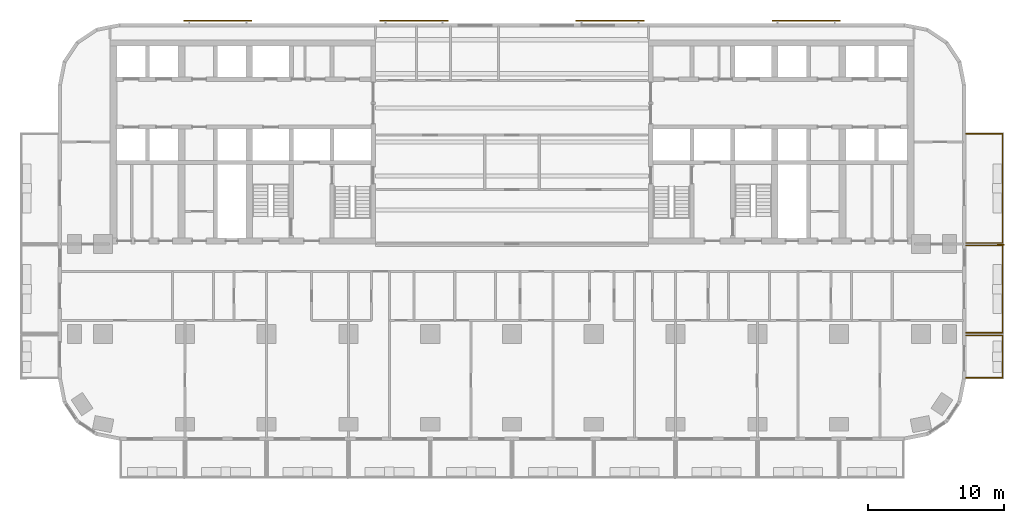
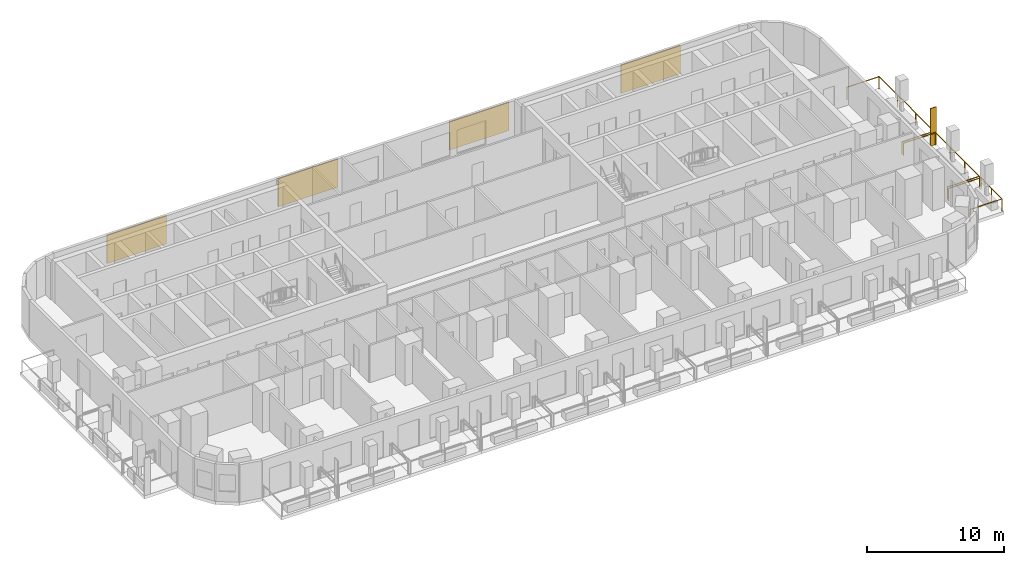
# One storey, part 14 of 15: 5 shading devices, 3 railings.
"""IFC4 building model written with IfcOpenShell, lengths in metres."""

from ifc_helpers import new_model, si_unit, direction, frame, origin, origin_2d, place, context, subcontext, project, spatial, rectangle, circle, extrude, material, layer, layer_set, type_object, element, save


model = new_model("IFC4")

# Units and contexts
model_context = context("Model", 3, precision=1e-05, world=origin(), true_north=direction((0.0, 1.0)))
body_context = subcontext(model_context, "Body", "Model", "MODEL_VIEW")
ifc_project = project(units=[si_unit("LENGTHUNIT", "METRE"), si_unit("AREAUNIT", "SQUARE_METRE"), si_unit("VOLUMEUNIT", "CUBIC_METRE"), si_unit("PLANEANGLEUNIT", "RADIAN"), si_unit("MASSUNIT", "GRAM", prefix="KILO")], contexts=[model_context])

# Site, building, storey
site_placement = place(None, origin())
site = spatial("IfcSite", under=ifc_project, at=site_placement, CompositionType="ELEMENT")
building_placement = place(site_placement, origin())
building = spatial("IfcBuilding", under=site, at=building_placement, Name="Torana Hotel and Residences", CompositionType="ELEMENT")
storey_placement = place(building_placement, frame((0.0, 0.0, 88.800048828125)))
storey = spatial("IfcBuildingStorey", under=building, at=storey_placement, Name="L22", CompositionType="ELEMENT", Elevation=88.800048828125)

# Shading device
ifc_material_1 = material(Name="Black powder coated aluminium", Category="aluminium")
ifc_layer_1 = layer(ifc_material_1, 0.080078125)
ifc_layer_set_1 = layer_set([ifc_layer_1], Name="FN1 VERTICAL FIN 500x80")
shading_device_type_1 = type_object("IfcShadingDeviceType", Name="FN1 VERTICAL FIN 500x80", PredefinedType="USERDEFINED", material=ifc_layer_set_1)
shading_device_placement = place(storey_placement, frame((35.85009765625, -15.0400390625, 0.0), z_axis=(0.0, 0.0, 1.0), x_axis=(0.0, -1.0, 0.0)))
element("IfcShadingDevice", 1, at=shading_device_placement, inside=storey, type_object=shading_device_type_1, Name="Fin 15", ObjectType="FIN", PredefinedType="USERDEFINED", context=body_context, shape_type="SweptSolid", body=[
    extrude(rectangle(XDim=0.080078125, YDim=0.5, at=origin_2d()), origin(), (0.0, 0.0, 1.0), 3.320068359375),
])

# Railings
ifc_material_2 = material(Name="Laminated glass balustrade with black handrail", Category="glass")
railing_type = type_object("IfcRailingType", Name="GR1 BALCONY GUARD 1100 GLASS", PredefinedType="GUARDRAIL", material=ifc_material_2)
railing_1_placement = place(storey_placement, frame((33.300048828125, -21.699951171875, 0.0)))
element("IfcRailing", 2, at=railing_1_placement, inside=storey, type_object=railing_type, Name="Balcony guard 14", PredefinedType="GUARDRAIL", context=body_context, shape_type="SweptSolid", body=[
    extrude(circle(Radius=0.02392578125, at=origin_2d()), frame((0.0, 0.0, 1.076171875), z_axis=(1.0, 0.0, 0.0), x_axis=(0.0, 1.0, 0.0)), (0.0, 0.0, 1.0), 2.699951171875),
    extrude(circle(Radius=0.02392578125, at=origin_2d()), frame((2.699951171875, 0.0, 1.076171875), z_axis=(0.0, -1.0, 0.0), x_axis=(1.0, 0.0, 0.0)), (0.0, 0.0, 1.0), 3.10009765625),
    extrude(circle(Radius=0.02392578125, at=origin_2d()), frame((2.699951171875, -3.10009765625, 1.076171875), z_axis=(-1.0, 0.0, 0.0), x_axis=(0.0, -1.0, 0.0)), (0.0, 0.0, 1.0), 2.699951171875),
    extrude(circle(Radius=0.02099609375, at=origin_2d()), origin(), (0.0, 0.0, 1.0), 1.052001953125),
    extrude(circle(Radius=0.02099609375, at=origin_2d()), frame((2.699951171875, 0.0, 0.0)), (0.0, 0.0, 1.0), 1.052001953125),
    extrude(circle(Radius=0.02099609375, at=origin_2d()), frame((2.699951171875, -1.550048828125, 0.0)), (0.0, 0.0, 1.0), 1.052001953125),
    extrude(circle(Radius=0.02099609375, at=origin_2d()), frame((2.699951171875, -3.10009765625, 0.0)), (0.0, 0.0, 1.0), 1.052001953125),
    extrude(circle(Radius=0.02099609375, at=origin_2d()), frame((0.0, -3.10009765625, 0.0)), (0.0, 0.0, 1.0), 1.052001953125),
])
railing_2_placement = place(storey_placement, frame((33.300048828125, -15.10009765625, 0.0)))
element("IfcRailing", 3, at=railing_2_placement, inside=storey, type_object=railing_type, Name="Balcony guard 15", PredefinedType="GUARDRAIL", context=body_context, shape_type="SweptSolid", body=[
    extrude(circle(Radius=0.02392578125, at=origin_2d()), frame((0.0, 0.0, 1.076171875), z_axis=(1.0, 0.0, 0.0), x_axis=(0.0, 1.0, 0.0)), (0.0, 0.0, 1.0), 2.699951171875),
    extrude(circle(Radius=0.02392578125, at=origin_2d()), frame((2.699951171875, 0.0, 1.076171875), z_axis=(0.0, -1.0, 0.0), x_axis=(1.0, 0.0, 0.0)), (0.0, 0.0, 1.0), 6.39990234375),
    extrude(circle(Radius=0.02392578125, at=origin_2d()), frame((2.699951171875, -6.39990234375, 1.076171875), z_axis=(-1.0, 0.0, 0.0), x_axis=(0.0, -1.0, 0.0)), (0.0, 0.0, 1.0), 2.699951171875),
    extrude(circle(Radius=0.02099609375, at=origin_2d()), origin(), (0.0, 0.0, 1.0), 1.052001953125),
    extrude(circle(Radius=0.02099609375, at=origin_2d()), frame((2.699951171875, 0.0, 0.0)), (0.0, 0.0, 1.0), 1.052001953125),
    extrude(circle(Radius=0.02099609375, at=origin_2d()), frame((2.699951171875, -2.13330078125, 0.0)), (0.0, 0.0, 1.0), 1.052001953125),
    extrude(circle(Radius=0.02099609375, at=origin_2d()), frame((2.699951171875, -4.2666015625, 0.0)), (0.0, 0.0, 1.0), 1.052001953125),
    extrude(circle(Radius=0.02099609375, at=origin_2d()), frame((2.699951171875, -6.39990234375, 0.0)), (0.0, 0.0, 1.0), 1.052001953125),
    extrude(circle(Radius=0.02099609375, at=origin_2d()), frame((0.0, -6.39990234375, 0.0)), (0.0, 0.0, 1.0), 1.052001953125),
])
railing_3_placement = place(storey_placement, frame((33.300048828125, -6.89990234375, 0.0)))
element("IfcRailing", 4, at=railing_3_placement, inside=storey, type_object=railing_type, Name="Balcony guard 16", PredefinedType="GUARDRAIL", context=body_context, shape_type="SweptSolid", body=[
    extrude(circle(Radius=0.02392578125, at=origin_2d()), frame((0.0, 0.0, 1.076171875), z_axis=(1.0, 0.0, 0.0), x_axis=(0.0, 1.0, 0.0)), (0.0, 0.0, 1.0), 2.699951171875),
    extrude(circle(Radius=0.02392578125, at=origin_2d()), frame((2.699951171875, 0.0, 1.076171875), z_axis=(0.0, -1.0, 0.0), x_axis=(1.0, 0.0, 0.0)), (0.0, 0.0, 1.0), 8.0),
    extrude(circle(Radius=0.02392578125, at=origin_2d()), frame((2.699951171875, -8.0, 1.076171875), z_axis=(-1.0, 0.0, 0.0), x_axis=(0.0, -1.0, 0.0)), (0.0, 0.0, 1.0), 2.699951171875),
    extrude(circle(Radius=0.02099609375, at=origin_2d()), origin(), (0.0, 0.0, 1.0), 1.052001953125),
    extrude(circle(Radius=0.02099609375, at=origin_2d()), frame((2.699951171875, 0.0, 0.0)), (0.0, 0.0, 1.0), 1.052001953125),
    extrude(circle(Radius=0.02099609375, at=origin_2d()), frame((2.699951171875, -2.666748046875, 0.0)), (0.0, 0.0, 1.0), 1.052001953125),
    extrude(circle(Radius=0.02099609375, at=origin_2d()), frame((2.699951171875, -5.333251953125, 0.0)), (0.0, 0.0, 1.0), 1.052001953125),
    extrude(circle(Radius=0.02099609375, at=origin_2d()), frame((2.699951171875, -8.0, 0.0)), (0.0, 0.0, 1.0), 1.052001953125),
    extrude(circle(Radius=0.02099609375, at=origin_2d()), frame((0.0, -8.0, 0.0)), (0.0, 0.0, 1.0), 1.052001953125),
])

# Shading devices
ifc_material_3 = material(Name="Concrete C40/50 precast", Category="concrete")
ifc_layer_2 = layer(ifc_material_3, 0.10009765625)
ifc_layer_set_2 = layer_set([ifc_layer_2], Name="SC1 PERFORATED BLOCK SCREEN PANEL 100")
shading_device_type_2 = type_object("IfcShadingDeviceType", Name="SC1 PERFORATED BLOCK SCREEN PANEL 100", PredefinedType="USERDEFINED", material=ifc_layer_set_2)
for number, where, z_axis, x_axis, name in (
    (5, (21.58154296875, 1.39990234375, 0.5), (0.0, 0.0, 1.0), (-1.0, 0.0, 0.0), "Perforated block screen L22"),
    (6, (7.19384765625, 1.39990234375, 0.5), (0.0, 0.0, 1.0), (-1.0, 0.0, 0.0), "Perforated block screen L22"),
    (7, (-7.19384765625, 1.39990234375, 0.5), (0.0, 0.0, 1.0), (-1.0, 0.0, 0.0), "Perforated block screen L22"),
    (8, (-21.58154296875, 1.39990234375, 0.5), (0.0, 0.0, 1.0), (-1.0, 0.0, 0.0), "Perforated block screen L22"),
):
    element("IfcShadingDevice", number, at=place(storey_placement, frame(where, z_axis=z_axis, x_axis=x_axis)), inside=storey, type_object=shading_device_type_2, Name=name, ObjectType="SCREEN", PredefinedType="USERDEFINED", context=body_context, shape_type="SweptSolid", body=[
        extrude(rectangle(XDim=5.0, YDim=0.10009765625, at=origin_2d()), origin(), (0.0, 0.0, 1.0), 2.52001953125),
    ])

save(model, "model.ifc")
